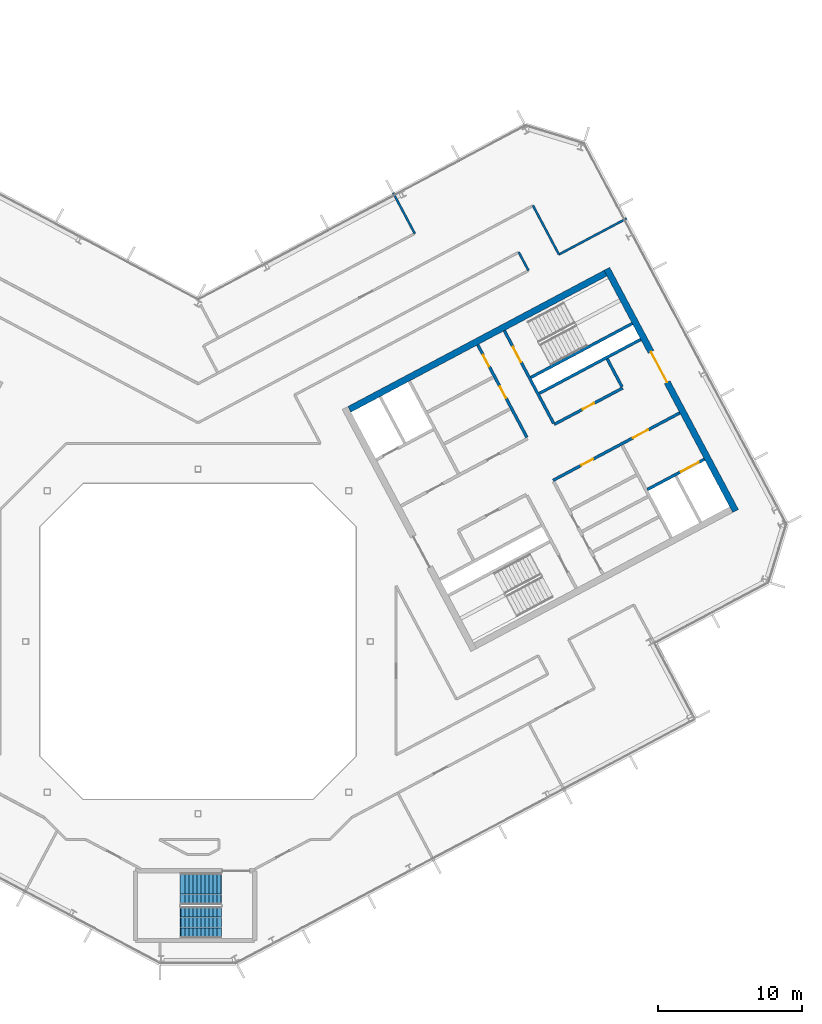
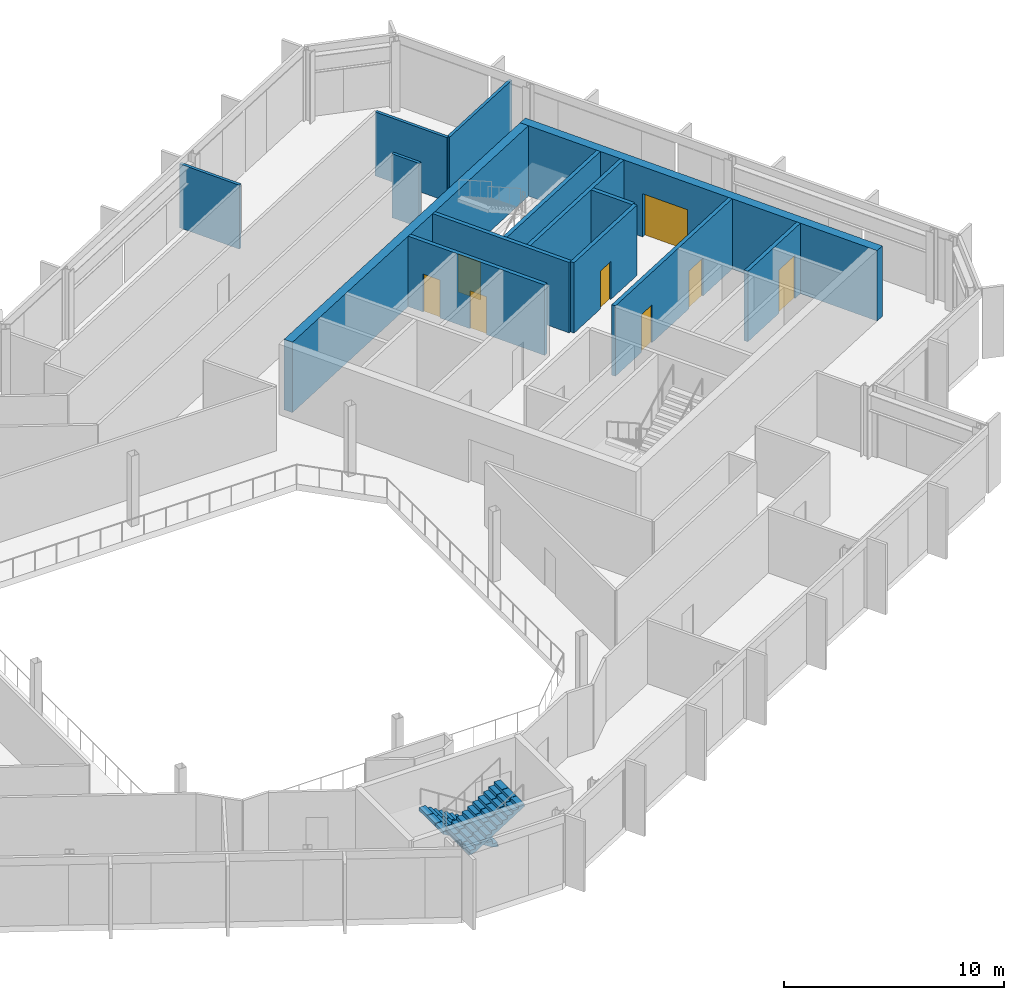
# One storey, part 17 of 26: 14 walls, 8 doors, 2 stair flights, 8 openings, 1 element without a shape of its own.
"""IFC4 building model written with IfcOpenShell, lengths in metres."""

from ifc_helpers import new_model, si_unit, direction, frame, frame_2d, origin, place, context, subcontext, project, spatial, polyline, rectangle, outline, extrude, material, layer, layer_set, type_object, element, fill, aggregate, save


model = new_model("IFC4")

# Units and contexts
model_context = context("Model", 3, precision=1e-05, world=origin(), true_north=direction((0.0, 1.0)))
body_context = subcontext(model_context, "Body", "Model", "MODEL_VIEW")
ifc_project = project(units=[si_unit("LENGTHUNIT", "METRE"), si_unit("AREAUNIT", "SQUARE_METRE"), si_unit("VOLUMEUNIT", "CUBIC_METRE"), si_unit("PLANEANGLEUNIT", "RADIAN"), si_unit("MASSUNIT", "GRAM", prefix="KILO")], contexts=[model_context])

# Site, building, storey
site_placement = place(None, origin())
site = spatial("IfcSite", under=ifc_project, at=site_placement, CompositionType="ELEMENT")
building_placement = place(site_placement, origin())
building = spatial("IfcBuilding", under=site, at=building_placement, Name="Cormorant Relay Tower", CompositionType="ELEMENT")
storey_placement = place(building_placement, frame((0.0, 0.0, 308.699951171875)))
storey = spatial("IfcBuildingStorey", under=building, at=storey_placement, Name="L70", CompositionType="ELEMENT", Elevation=308.699951171875)

# Wall, openings, doors
ifc_material_1 = material(Name="Concrete 50 MPa", Category="concrete")
ifc_layer_1 = layer(ifc_material_1, 0.199951171875)
ifc_layer_set_1 = layer_set([ifc_layer_1], Name="Core shaft wall 200")
wall_type_1 = type_object("IfcWallType", Name="Core shaft wall 200", PredefinedType="SHEAR", material=ifc_layer_set_1)
wall_1_placement = place(storey_placement, frame((22.90625, 14.218017578125, 0.0), z_axis=(0.0, 0.0, 1.0), x_axis=(-0.469480409012, 0.88294288918, 0.0)))
wall_1 = element("IfcWall", 1, at=wall_1_placement, inside=storey, type_object=wall_type_1, Name="L70 core B shaft wall", PredefinedType="SHEAR", context=body_context, shape_type="SweptSolid", body=[
    extrude(rectangle(XDim=7.300048828125, YDim=0.199951171875, at=frame_2d((3.64990234375, 0.0))), origin(), (0.0, 0.0, 1.0), 3.900146484375),
])
opening_1_placement = place(wall_1_placement, frame((3.10009765625, 0.0, 0.0)))
opening_1 = element("IfcOpeningElement", 2, at=opening_1_placement, cuts=wall_1, Name="Opening CDD-348", PredefinedType="OPENING", context=body_context, shape_type="SweptSolid", body=[
    extrude(rectangle(XDim=0.89990234375, YDim=2.10009765625, at=frame_2d((0.449951171875, 1.050048828125))), frame((0.0, 0.10986328125, 0.0), z_axis=(0.0, -1.0, 0.0), x_axis=(1.0, 0.0, 0.0)), (0.0, 0.0, 1.0), 0.219970703125),
])
opening_2_placement = place(wall_1_placement, frame((5.60009765625, 0.0, 0.0)))
opening_2 = element("IfcOpeningElement", 3, at=opening_2_placement, cuts=wall_1, Name="Opening CDD-349", PredefinedType="OPENING", context=body_context, shape_type="SweptSolid", body=[
    extrude(rectangle(XDim=0.89990234375, YDim=2.10009765625, at=frame_2d((0.449951171875, 1.050048828125))), frame((0.0, 0.10986328125, 0.0), z_axis=(0.0, -1.0, 0.0), x_axis=(1.0, 0.0, 0.0)), (0.0, 0.0, 1.0), 0.219970703125),
])
ifc_material_2 = material(Name="Steel fire door", Category="steel")
door_type_1 = type_object("IfcDoorType", Name="Core room door 900x2100", OperationType="SINGLE_SWING_LEFT", PredefinedType="DOOR", material=ifc_material_2)
door_1_placement = place(opening_1_placement, origin())
door_1 = element("IfcDoor", 4, at=door_1_placement, inside=storey, type_object=door_type_1, Name="Core room door 900x2100", OperationType="SINGLE_SWING_RIGHT", OverallHeight=2.10009765625, OverallWidth=0.89990234375, PredefinedType="DOOR", context=body_context, shape_type="SweptSolid", body=[
    extrude(rectangle(XDim=0.89990234375, YDim=2.10009765625, at=frame_2d((0.449951171875, 1.050048828125))), frame((0.0, 0.02490234375, 0.0), z_axis=(0.0, -1.0, 0.0), x_axis=(1.0, 0.0, 0.0)), (0.0, 0.0, 1.0), 0.050048828125),
])
fill(opening_1, door_1)
door_2_placement = place(opening_2_placement, origin())
door_2 = element("IfcDoor", 5, at=door_2_placement, inside=storey, type_object=door_type_1, Name="Core room door 900x2100", OperationType="SINGLE_SWING_LEFT", OverallHeight=2.10009765625, OverallWidth=0.89990234375, PredefinedType="DOOR", context=body_context, shape_type="SweptSolid", body=[
    extrude(rectangle(XDim=0.89990234375, YDim=2.10009765625, at=frame_2d((0.449951171875, 1.050048828125))), frame((0.0, 0.02490234375, 0.0), z_axis=(0.0, -1.0, 0.0), x_axis=(1.0, 0.0, 0.0)), (0.0, 0.0, 1.0), 0.050048828125),
])
fill(opening_2, door_2)

# Wall, opening, door
wall_2_placement = place(storey_placement, frame((24.760498046875, 15.2041015625, 0.0), z_axis=(0.0, 0.0, 1.0), x_axis=(-0.469494272526, 0.882935517501, 0.0)))
wall_2 = element("IfcWall", 6, at=wall_2_placement, inside=storey, type_object=wall_type_1, Name="L70 core B shaft wall", PredefinedType="SHEAR", context=body_context, shape_type="SweptSolid", body=[
    extrude(rectangle(XDim=7.2998046875, YDim=0.199951171875, at=frame_2d((3.64990234375, 0.0))), origin(), (0.0, 0.0, 1.0), 3.900146484375),
])
opening_3_placement = place(wall_2_placement, frame((4.800048828125, 0.0, 0.0)))
opening_3 = element("IfcOpeningElement", 7, at=opening_3_placement, cuts=wall_2, Name="Opening CDB-041", PredefinedType="OPENING", context=body_context, shape_type="SweptSolid", body=[
    extrude(rectangle(XDim=1.199951171875, YDim=2.10009765625, at=frame_2d((0.60009765625, 1.050048828125))), frame((0.0, 0.10986328125, 0.0), z_axis=(0.0, -1.0, 0.0), x_axis=(1.0, 0.0, 0.0)), (0.0, 0.0, 1.0), 0.219970703125),
])
ifc_material_3 = material(Name="Steel fire door", Category="steel")
door_type_2 = type_object("IfcDoorType", Name="Core stair door 1200x2100", OperationType="SINGLE_SWING_LEFT", PredefinedType="DOOR", material=ifc_material_3)
door_3_placement = place(opening_3_placement, frame((1.199951171875, 0.0, 0.0), z_axis=(0.0, 0.0, 1.0), x_axis=(-1.0, 0.0, 0.0)))
door_3 = element("IfcDoor", 8, at=door_3_placement, inside=storey, type_object=door_type_2, Name="Core stair door 1200x2100", OperationType="SINGLE_SWING_RIGHT", OverallHeight=2.10009765625, OverallWidth=1.199951171875, PredefinedType="DOOR", context=body_context, shape_type="SweptSolid", body=[
    extrude(rectangle(XDim=1.199951171875, YDim=2.10009765625, at=frame_2d((0.60009765625, 1.050048828125))), frame((0.0, 0.02490234375, 0.0), z_axis=(0.0, -1.0, 0.0), x_axis=(1.0, 0.0, 0.0)), (0.0, 0.0, 1.0), 0.050048828125),
])
fill(opening_3, door_3)

# Wall
wall_3_placement = place(storey_placement, frame((29.5283203125, 17.739013671875, 0.0), z_axis=(0.0, 0.0, 1.0), x_axis=(-0.469401318492, 0.882984938828, 0.0)))
element("IfcWall", 9, at=wall_3_placement, inside=storey, type_object=wall_type_1, Name="L70 core B shaft wall", PredefinedType="SHEAR", context=body_context, shape_type="SweptSolid", body=[
    extrude(rectangle(XDim=2.199951171875, YDim=0.199951171875, at=frame_2d((1.10009765625, 0.0))), origin(), (0.0, 0.0, 1.0), 3.900146484375),
])

# Wall, opening, door
wall_4_placement = place(storey_placement, frame((31.295654296875, 10.5810546875, 0.0), z_axis=(0.0, 0.0, 1.0), x_axis=(0.882960433586, 0.469447412093, 0.0)))
wall_4 = element("IfcWall", 10, at=wall_4_placement, inside=storey, type_object=wall_type_1, Name="L70 core B shaft wall", PredefinedType="SHEAR", context=body_context, shape_type="SweptSolid", body=[
    extrude(rectangle(XDim=4.5, YDim=0.199951171875, at=frame_2d((2.25, 0.0))), origin(), (0.0, 0.0, 1.0), 3.900146484375),
])
opening_4_placement = place(wall_4_placement, frame((2.64990234375, 0.0, 0.0)))
opening_4 = element("IfcOpeningElement", 11, at=opening_4_placement, cuts=wall_4, Name="Opening LD3-016", PredefinedType="OPENING", context=body_context, shape_type="SweptSolid", body=[
    extrude(rectangle(XDim=1.39990234375, YDim=2.39990234375, at=frame_2d((0.699951171875, 1.199951171875))), frame((0.0, 0.10986328125, 0.0), z_axis=(0.0, -1.0, 0.0), x_axis=(1.0, 0.0, 0.0)), (0.0, 0.0, 1.0), 0.219970703125),
])
ifc_material_4 = material(Name="Stainless steel 316", Category="steel")
door_type_3 = type_object("IfcDoorType", Name="Lift landing door 1400x2400", OperationType="DOUBLE_DOOR_SLIDING", PredefinedType="DOOR", material=ifc_material_4)
door_4_placement = place(opening_4_placement, origin())
door_4 = element("IfcDoor", 12, at=door_4_placement, inside=storey, type_object=door_type_3, Name="SV2 landing door", OperationType="DOUBLE_DOOR_SLIDING", OverallHeight=2.39990234375, OverallWidth=1.39990234375, PredefinedType="DOOR", context=body_context, shape_type="SweptSolid", body=[
    extrude(rectangle(XDim=1.39990234375, YDim=2.39990234375, at=frame_2d((0.699951171875, 1.199951171875))), frame((0.0, 0.02490234375, 0.0), z_axis=(0.0, -1.0, 0.0), x_axis=(1.0, 0.0, 0.0)), (0.0, 0.0, 1.0), 0.050048828125),
])
fill(opening_4, door_4)

# Wall, openings, doors
wall_5_placement = place(storey_placement, frame((24.72607421875, 11.2216796875, 0.0), z_axis=(0.0, 0.0, 1.0), x_axis=(0.882940221191, 0.469485426614, 0.0)))
wall_5 = element("IfcWall", 13, at=wall_5_placement, inside=storey, type_object=wall_type_1, Name="L70 core B shaft wall", PredefinedType="SHEAR", context=body_context, shape_type="SweptSolid", body=[
    extrude(rectangle(XDim=10.0, YDim=0.199951171875, at=frame_2d((5.0, 0.0))), origin(), (0.0, 0.0, 1.0), 3.900146484375),
])
opening_5_placement = place(wall_5_placement, frame((6.300048828125, 0.0, 0.0)))
opening_5 = element("IfcOpeningElement", 14, at=opening_5_placement, cuts=wall_5, Name="Opening CDC-038", PredefinedType="OPENING", context=body_context, shape_type="SweptSolid", body=[
    extrude(rectangle(XDim=1.199951171875, YDim=2.10009765625, at=frame_2d((0.60009765625, 1.050048828125))), frame((0.0, 0.10986328125, 0.0), z_axis=(0.0, -1.0, 0.0), x_axis=(1.0, 0.0, 0.0)), (0.0, 0.0, 1.0), 0.219970703125),
])
opening_6_placement = place(wall_5_placement, frame((2.25, 0.0, 0.0)))
opening_6 = element("IfcOpeningElement", 15, at=opening_6_placement, cuts=wall_5, Name="Opening CDD-332", PredefinedType="OPENING", context=body_context, shape_type="SweptSolid", body=[
    extrude(rectangle(XDim=0.89990234375, YDim=2.10009765625, at=frame_2d((0.449951171875, 1.050048828125))), frame((0.0, 0.10986328125, 0.0), z_axis=(0.0, -1.0, 0.0), x_axis=(1.0, 0.0, 0.0)), (0.0, 0.0, 1.0), 0.219970703125),
])
ifc_material_5 = material(Name="Steel fire door", Category="steel")
door_type_4 = type_object("IfcDoorType", Name="Core lobby door 1200x2100", OperationType="SINGLE_SWING_LEFT", PredefinedType="DOOR", material=ifc_material_5)
door_5_placement = place(opening_5_placement, origin())
door_5 = element("IfcDoor", 16, at=door_5_placement, inside=storey, type_object=door_type_4, Name="Core lobby door 1200x2100", OperationType="SINGLE_SWING_LEFT", OverallHeight=2.10009765625, OverallWidth=1.199951171875, PredefinedType="DOOR", context=body_context, shape_type="SweptSolid", body=[
    extrude(rectangle(XDim=1.199951171875, YDim=2.10009765625, at=frame_2d((0.60009765625, 1.050048828125))), frame((0.0, 0.02490234375, 0.0), z_axis=(0.0, -1.0, 0.0), x_axis=(1.0, 0.0, 0.0)), (0.0, 0.0, 1.0), 0.050048828125),
])
fill(opening_5, door_5)
door_6_placement = place(opening_6_placement, origin())
door_6 = element("IfcDoor", 17, at=door_6_placement, inside=storey, type_object=door_type_1, Name="Core room door 900x2100", OperationType="SINGLE_SWING_LEFT", OverallHeight=2.10009765625, OverallWidth=0.89990234375, PredefinedType="DOOR", context=body_context, shape_type="SweptSolid", body=[
    extrude(rectangle(XDim=0.89990234375, YDim=2.10009765625, at=frame_2d((0.449951171875, 1.050048828125))), frame((0.0, 0.02490234375, 0.0), z_axis=(0.0, -1.0, 0.0), x_axis=(1.0, 0.0, 0.0)), (0.0, 0.0, 1.0), 0.050048828125),
])
fill(opening_6, door_6)

# Wall, opening, door
wall_6_placement = place(storey_placement, frame((24.807373046875, 15.11572265625, 0.0), z_axis=(0.0, 0.0, 1.0), x_axis=(0.882942972946, 0.469480251476, 0.0)))
wall_6 = element("IfcWall", 18, at=wall_6_placement, inside=storey, type_object=wall_type_1, Name="L70 core B shaft wall", PredefinedType="SHEAR", context=body_context, shape_type="SweptSolid", body=[
    extrude(rectangle(XDim=5.39990234375, YDim=0.199951171875, at=frame_2d((2.699951171875, 0.0))), origin(), (0.0, 0.0, 1.0), 3.900146484375),
])
opening_7_placement = place(wall_6_placement, frame((2.25, 0.0, 0.0)))
opening_7 = element("IfcOpeningElement", 19, at=opening_7_placement, cuts=wall_6, Name="Opening CDD-261", PredefinedType="OPENING", context=body_context, shape_type="SweptSolid", body=[
    extrude(rectangle(XDim=0.89990234375, YDim=2.10009765625, at=frame_2d((0.449951171875, 1.050048828125))), frame((0.0, 0.10986328125, 0.0), z_axis=(0.0, -1.0, 0.0), x_axis=(1.0, 0.0, 0.0)), (0.0, 0.0, 1.0), 0.219970703125),
])
door_7_placement = place(opening_7_placement, origin())
door_7 = element("IfcDoor", 20, at=door_7_placement, inside=storey, type_object=door_type_1, Name="Core room door 900x2100", OperationType="SINGLE_SWING_LEFT", OverallHeight=2.10009765625, OverallWidth=0.89990234375, PredefinedType="DOOR", context=body_context, shape_type="SweptSolid", body=[
    extrude(rectangle(XDim=0.89990234375, YDim=2.10009765625, at=frame_2d((0.449951171875, 1.050048828125))), frame((0.0, 0.02490234375, 0.0), z_axis=(0.0, -1.0, 0.0), x_axis=(1.0, 0.0, 0.0)), (0.0, 0.0, 1.0), 0.050048828125),
])
fill(opening_7, door_7)

# Walls
wall_7_placement = place(storey_placement, frame((23.76904296875, 17.28173828125, 0.0), z_axis=(0.0, 0.0, 1.0), x_axis=(0.882940221191, 0.469485426614, 0.0)))
element("IfcWall", 21, at=wall_7_placement, inside=storey, type_object=wall_type_1, Name="L70 core B shaft wall", PredefinedType="SHEAR", context=body_context, shape_type="SweptSolid", body=[
    extrude(rectangle(XDim=8.0, YDim=0.199951171875, at=frame_2d((4.0, 0.0))), origin(), (0.0, 0.0, 1.0), 3.900146484375),
])
wall_8_placement = place(storey_placement, frame((23.18212890625, 18.385498046875, 0.0), z_axis=(0.0, 0.0, 1.0), x_axis=(0.88295287151, 0.469461634952, 0.0)))
element("IfcWall", 22, at=wall_8_placement, inside=storey, type_object=wall_type_1, Name="L70 core B shaft wall", PredefinedType="SHEAR", context=body_context, shape_type="SweptSolid", body=[
    extrude(rectangle(XDim=7.999755859375, YDim=0.199951171875, at=frame_2d((4.0, 0.0))), origin(), (0.0, 0.0, 1.0), 3.900146484375),
])

# Wall, opening, door
ifc_material_6 = material(Name="Concrete 50 MPa", Category="concrete")
ifc_layer_2 = layer(ifc_material_6, 0.449951171875)
ifc_layer_set_2 = layer_set([ifc_layer_2], Name="Core wall 450")
wall_type_2 = type_object("IfcWallType", Name="Core wall 450", PredefinedType="SHEAR", material=ifc_layer_set_2)
wall_9_placement = place(storey_placement, frame((37.439453125, 9.0908203125, 0.0), z_axis=(0.0, 0.0, 1.0), x_axis=(-0.469467968382, 0.882949504028, 0.0)))
wall_9 = element("IfcWall", 23, at=wall_9_placement, inside=storey, type_object=wall_type_2, Name="L70 core B wall", PredefinedType="SHEAR", context=body_context, shape_type="SweptSolid", body=[
    extrude(rectangle(XDim=19.099853515625, YDim=0.449951171875, at=frame_2d((9.5498046875, 0.0))), origin(), (0.0, 0.0, 1.0), 3.900146484375),
])
opening_8_placement = place(wall_9_placement, frame((10.14990234375, 0.0, 0.0)))
opening_8 = element("IfcOpeningElement", 24, at=opening_8_placement, cuts=wall_9, Name="Opening CDA-053", PredefinedType="OPENING", context=body_context, shape_type="SweptSolid", body=[
    extrude(rectangle(XDim=2.39990234375, YDim=2.39990234375, at=frame_2d((1.199951171875, 1.199951171875))), frame((0.0, 0.23486328125, 0.0), z_axis=(0.0, -1.0, 0.0), x_axis=(1.0, 0.0, 0.0)), (0.0, 0.0, 1.0), 0.469970703125),
])
ifc_material_7 = material(Name="Steel fire door", Category="steel")
door_type_5 = type_object("IfcDoorType", Name="Core lobby door 2400x2400", OperationType="DOUBLE_DOOR_SINGLE_SWING", PredefinedType="DOOR", material=ifc_material_7)
door_8_placement = place(opening_8_placement, origin())
door_8 = element("IfcDoor", 25, at=door_8_placement, inside=storey, type_object=door_type_5, Name="Core lobby door 2400x2400", OperationType="DOUBLE_DOOR_SINGLE_SWING", OverallHeight=2.39990234375, OverallWidth=2.39990234375, PredefinedType="DOOR", context=body_context, shape_type="SweptSolid", body=[
    extrude(rectangle(XDim=2.39990234375, YDim=2.39990234375, at=frame_2d((1.199951171875, 1.199951171875))), frame((0.0, 0.02490234375, 0.0), z_axis=(0.0, -1.0, 0.0), x_axis=(1.0, 0.0, 0.0)), (0.0, 0.0, 1.0), 0.050048828125),
])
fill(opening_8, door_8)

# Walls
wall_10_placement = place(storey_placement, frame((10.5439453125, 16.16748046875, 0.0), z_axis=(0.0, 0.0, 1.0), x_axis=(0.882947755831, 0.46947125628, 0.0)))
element("IfcWall", 26, at=wall_10_placement, inside=storey, type_object=wall_type_2, Name="L70 core B wall", PredefinedType="SHEAR", context=body_context, shape_type="SweptSolid", body=[
    extrude(rectangle(XDim=20.2001953125, YDim=0.449951171875, at=frame_2d((10.10009765625, 0.0))), origin(), (0.0, 0.0, 1.0), 3.900146484375),
])
ifc_material_8 = material(Name="Gypsum board fire partition")
ifc_layer_3 = layer(ifc_material_8, 0.14990234375)
ifc_layer_set_3 = layer_set([ifc_layer_3], Name="Corridor partition 150 EI 60")
wall_type_3 = type_object("IfcWallType", Name="Corridor partition 150 EI 60", PredefinedType="PARTITIONING", material=ifc_layer_set_3)
wall_11_placement = place(storey_placement, frame((22.3369140625, 27.110107421875, 0.0), z_axis=(0.0, 0.0, 1.0), x_axis=(0.46976654726, -0.882790683614, 0.0)))
element("IfcWall", 27, at=wall_11_placement, inside=storey, type_object=wall_type_3, Name="wall/L70/part/018", PredefinedType="PARTITIONING", context=body_context, shape_type="SweptSolid", body=[
    extrude(rectangle(XDim=1.449951171875, YDim=0.14990234375, at=frame_2d((0.72509765625, 0.0))), origin(), (0.0, 0.0, 1.0), 3.5400390625),
])
wall_12_placement = place(storey_placement, frame((29.862060546875, 29.466064453125, 0.0), z_axis=(0.0, 0.0, 1.0), x_axis=(-0.882849858528, -0.469655328191, 0.0)))
element("IfcWall", 28, at=wall_12_placement, inside=storey, type_object=wall_type_3, Name="wall/L70/part/063", PredefinedType="PARTITIONING", context=body_context, shape_type="SweptSolid", body=[
    extrude(rectangle(XDim=5.353271484375, YDim=0.14990234375, at=frame_2d((2.6767578125, 0.0))), origin(), (0.0, 0.0, 1.0), 3.5400390625),
])
wall_13_placement = place(storey_placement, frame((25.135986328125, 26.951904296875, 0.0), z_axis=(0.0, 0.0, 1.0), x_axis=(-0.468650225043, 0.883383816111, 0.0)))
element("IfcWall", 29, at=wall_13_placement, inside=storey, type_object=wall_type_3, Name="wall/L70/part/064", PredefinedType="PARTITIONING", context=body_context, shape_type="SweptSolid", body=[
    extrude(rectangle(XDim=3.853515625, YDim=0.14990234375, at=frame_2d((1.9267578125, 0.0))), origin(), (0.0, 0.0, 1.0), 3.5400390625),
])
ifc_material_9 = material(Name="Gypsum board partition")
ifc_layer_4 = layer(ifc_material_9, 0.14990234375)
ifc_layer_set_4 = layer_set([ifc_layer_4], Name="Tenant partition 150")
wall_type_4 = type_object("IfcWallType", Name="Tenant partition 150", PredefinedType="PARTITIONING", material=ifc_layer_set_4)
wall_14_placement = place(storey_placement, frame((15.094970703125, 28.412109375, 0.0), z_axis=(0.0, 0.0, 1.0), x_axis=(-0.469320691295, 0.883027796121, 0.0)))
element("IfcWall", 30, at=wall_14_placement, inside=storey, type_object=wall_type_4, Name="wall/L70/part/054", PredefinedType="PARTITIONING", context=body_context, shape_type="SweptSolid", body=[
    extrude(rectangle(XDim=3.2001953125, YDim=0.14990234375, at=frame_2d((1.60009765625, 0.0))), origin(), (0.0, 0.0, 1.0), 3.5400390625),
])

# Stair, stair flights
ifc_material_10 = material(Name="Concrete 40 MPa", Category="concrete")
stair_type = type_object("IfcStairType", Name="Remote exit stair 2200", PredefinedType="HALF_TURN_STAIR", material=ifc_material_10)
stair_placement = place(storey_placement, origin())
stair = element("IfcStair", 31, at=stair_placement, inside=storey, type_object=stair_type, Name="L70 Stair", PredefinedType="HALF_TURN_STAIR")
ifc_material_11 = material(Name="Concrete 40 MPa", Category="concrete")
stair_flight_type = type_object("IfcStairFlightType", Name="Remote exit stair flight 2200", PredefinedType="STRAIGHT", material=ifc_material_11)
stair_flight_1_placement = place(storey_placement, frame((1.60009765625, -17.22509765625, 0.0), z_axis=(0.0, 0.0, 1.0), x_axis=(-1.0, 0.0, 0.0)))
stair_flight_1 = element("IfcStairFlight", 32, at=stair_flight_1_placement, type_object=stair_flight_type, Name="RK1 flight 1", NumberOfRisers=11, NumberOfTreads=10, PredefinedType="STRAIGHT", RiserHeight=0.177272727, TreadLength=0.28, context=body_context, shape_type="SweptSolid", body=[
    extrude(outline(polyline([(-0.050048828125, -0.080078125), (-0.050048828125, 0.0), (0.0, 0.0), (0.0, 0.17724609375), (0.280029296875, 0.17724609375), (0.280029296875, 0.3544921875), (0.56005859375, 0.3544921875), (0.56005859375, 0.53173828125), (0.840087890625, 0.53173828125), (0.840087890625, 0.708984375), (1.1201171875, 0.708984375), (1.1201171875, 0.886474609375), (1.39990234375, 0.886474609375), (1.39990234375, 1.063720703125), (1.679931640625, 1.063720703125), (1.679931640625, 1.240966796875), (1.9599609375, 1.240966796875), (1.9599609375, 1.418212890625), (2.239990234375, 1.418212890625), (2.239990234375, 1.595458984375), (2.52001953125, 1.595458984375), (2.52001953125, 1.772705078125), (2.800048828125, 1.772705078125), (2.85009765625, 1.772705078125), (2.85009765625, 1.59521484375), (2.800048828125, 1.59521484375), (0.2802734375, 0.0), (-0.050048828125, -0.080078125)])), frame((0.0, 1.10009765625, 0.0), z_axis=(0.0, -1.0, 0.0), x_axis=(1.0, 0.0, 0.0)), (0.0, 0.0, 1.0), 0.719970703125),
    extrude(outline(polyline([(-0.050048828125, -0.080078125), (-0.050048828125, 0.0), (0.0, 0.0), (0.0, 0.17724609375), (0.280029296875, 0.17724609375), (0.280029296875, 0.3544921875), (0.56005859375, 0.3544921875), (0.56005859375, 0.53173828125), (0.840087890625, 0.53173828125), (0.840087890625, 0.708984375), (1.1201171875, 0.708984375), (1.1201171875, 0.886474609375), (1.39990234375, 0.886474609375), (1.39990234375, 1.063720703125), (1.679931640625, 1.063720703125), (1.679931640625, 1.240966796875), (1.9599609375, 1.240966796875), (1.9599609375, 1.418212890625), (2.239990234375, 1.418212890625), (2.239990234375, 1.595458984375), (2.52001953125, 1.595458984375), (2.52001953125, 1.772705078125), (2.800048828125, 1.772705078125), (2.85009765625, 1.772705078125), (2.85009765625, 1.59521484375), (2.800048828125, 1.59521484375), (0.2802734375, 0.0), (-0.050048828125, -0.080078125)])), frame((0.0, 0.360107421875, 0.0), z_axis=(0.0, -1.0, 0.0), x_axis=(1.0, 0.0, 0.0)), (0.0, 0.0, 1.0), 0.719970703125),
    extrude(outline(polyline([(-0.050048828125, -0.080078125), (-0.050048828125, 0.0), (0.0, 0.0), (0.0, 0.17724609375), (0.280029296875, 0.17724609375), (0.280029296875, 0.3544921875), (0.56005859375, 0.3544921875), (0.56005859375, 0.53173828125), (0.840087890625, 0.53173828125), (0.840087890625, 0.708984375), (1.1201171875, 0.708984375), (1.1201171875, 0.886474609375), (1.39990234375, 0.886474609375), (1.39990234375, 1.063720703125), (1.679931640625, 1.063720703125), (1.679931640625, 1.240966796875), (1.9599609375, 1.240966796875), (1.9599609375, 1.418212890625), (2.239990234375, 1.418212890625), (2.239990234375, 1.595458984375), (2.52001953125, 1.595458984375), (2.52001953125, 1.772705078125), (2.800048828125, 1.772705078125), (2.85009765625, 1.772705078125), (2.85009765625, 1.59521484375), (2.800048828125, 1.59521484375), (0.2802734375, 0.0), (-0.050048828125, -0.080078125)])), frame((0.0, -0.3798828125, 0.0), z_axis=(0.0, -1.0, 0.0), x_axis=(1.0, 0.0, 0.0)), (0.0, 0.0, 1.0), 0.719970703125),
])
stair_flight_2_placement = place(storey_placement, frame((-1.199951171875, -19.574951171875, 1.949951171875), z_axis=(0.0, 0.0, 1.0), x_axis=(1.0, 0.0, 0.0)))
stair_flight_2 = element("IfcStairFlight", 33, at=stair_flight_2_placement, type_object=stair_flight_type, Name="RK1 flight 2", NumberOfRisers=11, NumberOfTreads=10, PredefinedType="STRAIGHT", RiserHeight=0.177272727, TreadLength=0.28, context=body_context, shape_type="SweptSolid", body=[
    extrude(outline(polyline([(-0.050048828125, -0.080078125), (-0.050048828125, 0.0), (0.0, 0.0), (0.0, 0.17724609375), (0.280029296875, 0.17724609375), (0.280029296875, 0.3544921875), (0.56005859375, 0.3544921875), (0.56005859375, 0.53173828125), (0.840087890625, 0.53173828125), (0.840087890625, 0.708984375), (1.1201171875, 0.708984375), (1.1201171875, 0.886474609375), (1.39990234375, 0.886474609375), (1.39990234375, 1.063720703125), (1.679931640625, 1.063720703125), (1.679931640625, 1.240966796875), (1.9599609375, 1.240966796875), (1.9599609375, 1.418212890625), (2.239990234375, 1.418212890625), (2.239990234375, 1.595458984375), (2.52001953125, 1.595458984375), (2.52001953125, 1.772705078125), (2.800048828125, 1.772705078125), (2.85009765625, 1.772705078125), (2.85009765625, 1.59521484375), (2.800048828125, 1.59521484375), (0.2802734375, 0.0), (-0.050048828125, -0.080078125)])), frame((0.0, 1.10009765625, 0.0), z_axis=(0.0, -1.0, 0.0), x_axis=(1.0, 0.0, 0.0)), (0.0, 0.0, 1.0), 0.719970703125),
    extrude(outline(polyline([(-0.050048828125, -0.080078125), (-0.050048828125, 0.0), (0.0, 0.0), (0.0, 0.17724609375), (0.280029296875, 0.17724609375), (0.280029296875, 0.3544921875), (0.56005859375, 0.3544921875), (0.56005859375, 0.53173828125), (0.840087890625, 0.53173828125), (0.840087890625, 0.708984375), (1.1201171875, 0.708984375), (1.1201171875, 0.886474609375), (1.39990234375, 0.886474609375), (1.39990234375, 1.063720703125), (1.679931640625, 1.063720703125), (1.679931640625, 1.240966796875), (1.9599609375, 1.240966796875), (1.9599609375, 1.418212890625), (2.239990234375, 1.418212890625), (2.239990234375, 1.595458984375), (2.52001953125, 1.595458984375), (2.52001953125, 1.772705078125), (2.800048828125, 1.772705078125), (2.85009765625, 1.772705078125), (2.85009765625, 1.59521484375), (2.800048828125, 1.59521484375), (0.2802734375, 0.0), (-0.050048828125, -0.080078125)])), frame((0.0, 0.360107421875, 0.0), z_axis=(0.0, -1.0, 0.0), x_axis=(1.0, 0.0, 0.0)), (0.0, 0.0, 1.0), 0.719970703125),
    extrude(outline(polyline([(-0.050048828125, -0.080078125), (-0.050048828125, 0.0), (0.0, 0.0), (0.0, 0.17724609375), (0.280029296875, 0.17724609375), (0.280029296875, 0.3544921875), (0.56005859375, 0.3544921875), (0.56005859375, 0.53173828125), (0.840087890625, 0.53173828125), (0.840087890625, 0.708984375), (1.1201171875, 0.708984375), (1.1201171875, 0.886474609375), (1.39990234375, 0.886474609375), (1.39990234375, 1.063720703125), (1.679931640625, 1.063720703125), (1.679931640625, 1.240966796875), (1.9599609375, 1.240966796875), (1.9599609375, 1.418212890625), (2.239990234375, 1.418212890625), (2.239990234375, 1.595458984375), (2.52001953125, 1.595458984375), (2.52001953125, 1.772705078125), (2.800048828125, 1.772705078125), (2.85009765625, 1.772705078125), (2.85009765625, 1.59521484375), (2.800048828125, 1.59521484375), (0.2802734375, 0.0), (-0.050048828125, -0.080078125)])), frame((0.0, -0.3798828125, 0.0), z_axis=(0.0, -1.0, 0.0), x_axis=(1.0, 0.0, 0.0)), (0.0, 0.0, 1.0), 0.719970703125),
])
aggregate(stair, [stair_flight_1, stair_flight_2])

save(model, "model.ifc")
